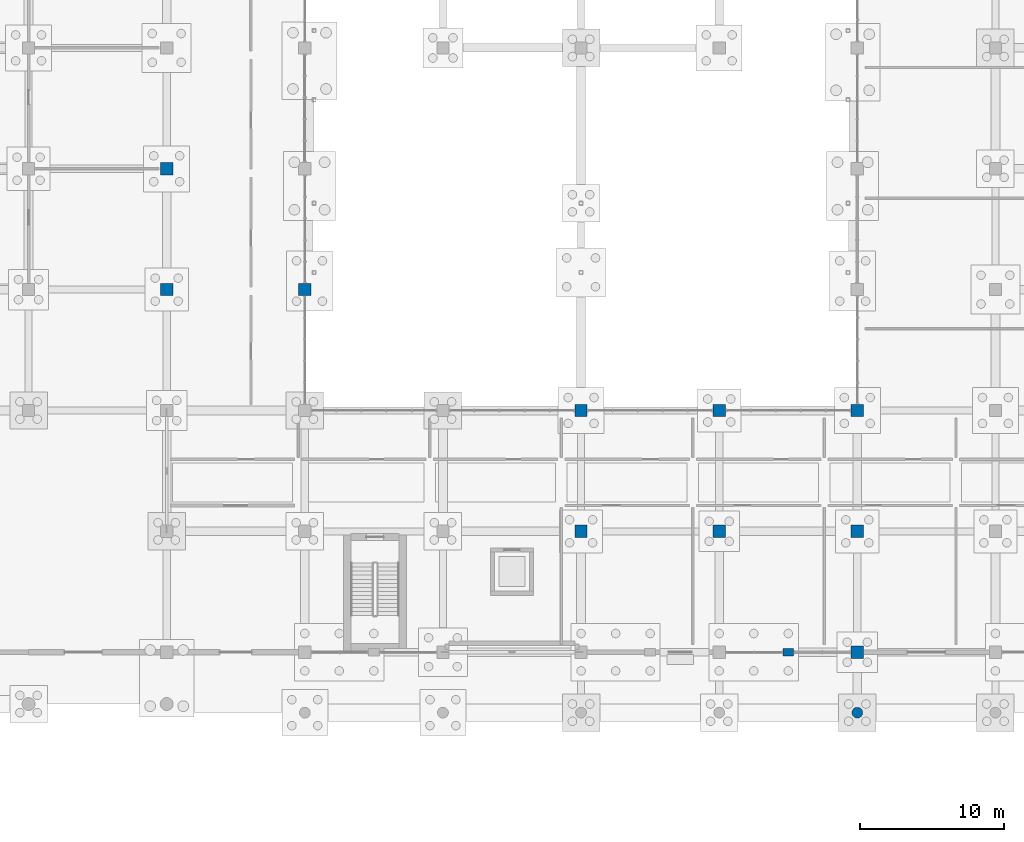
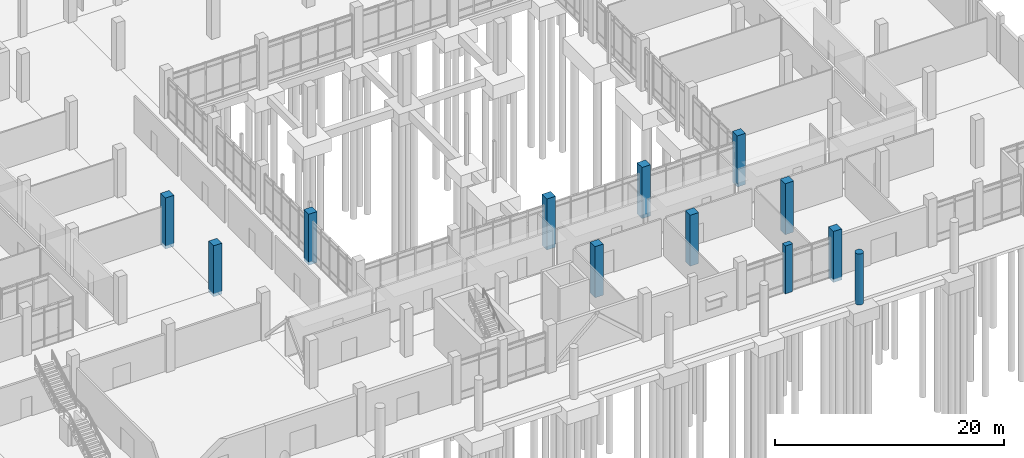
# One storey, part 22 of 136: 12 columns.
"""IFC4 building model written with IfcOpenShell, lengths in metres."""

from ifc_helpers import new_model, si_unit, direction, frame, origin, origin_2d, place, context, subcontext, project, spatial, rectangle, circle, extrude, material, material_profile, profile_set, type_object, element, save


model = new_model("IFC4")

# Units and contexts
model_context = context("Model", 3, precision=1e-05, world=origin(), true_north=direction((0.0, 1.0)))
body_context = subcontext(model_context, "Body", "Model", "MODEL_VIEW")
ifc_project = project(units=[si_unit("LENGTHUNIT", "METRE"), si_unit("AREAUNIT", "SQUARE_METRE"), si_unit("VOLUMEUNIT", "CUBIC_METRE"), si_unit("PLANEANGLEUNIT", "RADIAN"), si_unit("MASSUNIT", "GRAM", prefix="KILO")], contexts=[model_context])

# Site, building, storey
site_placement = place(None, origin())
site = spatial("IfcSite", under=ifc_project, at=site_placement, CompositionType="ELEMENT")
building_placement = place(site_placement, origin())
building = spatial("IfcBuilding", under=site, at=building_placement, Name="Oolite Switchyard Hospital", CompositionType="ELEMENT")
storey_placement = place(building_placement, origin())
storey = spatial("IfcBuildingStorey", under=building, at=storey_placement, Name="L00", CompositionType="ELEMENT", Elevation=0.0)

# Columns
ifc_material_1 = material(Name="Precast concrete C40/50", Category="concrete")
ifc_material_profile_1 = material_profile(ifc_material_1, circle(Radius=0.375, at=origin_2d()), Name="RCCOL750")
ifc_profile_set_1 = profile_set([ifc_material_profile_1], Name="Precast concrete C40/50")
column_type_1 = type_object("IfcColumnType", Name="COL-PORT750", PredefinedType="COLUMN", material=ifc_profile_set_1)
column_1_placement = place(storey_placement, frame((182.39990234375, 4.199951171875, -0.35009765625), z_axis=(0.0, 0.0, 1.0), x_axis=(1.0, 0.0, 0.0)))
element("IfcColumn", 1, at=column_1_placement, inside=storey, type_object=column_type_1, Name="L00 Column 274", PredefinedType="COLUMN", context=body_context, shape_type="SweptSolid", body=[
    extrude(circle(Radius=0.375, at=origin_2d()), origin(), (0.0, 0.0, 1.0), 5.4501953125),
])
ifc_material_2 = material(Name="Concrete C50/60", Category="concrete")
ifc_material_profile_2 = material_profile(ifc_material_2, rectangle(XDim=0.85009765625, YDim=0.85009765625, at=origin_2d()), Name="RC850X850")
ifc_profile_set_2 = profile_set([ifc_material_profile_2], Name="Concrete C50/60")
column_type_2 = type_object("IfcColumnType", Name="COL-RC850", PredefinedType="COLUMN", material=ifc_profile_set_2)
for number, where, z_axis, x_axis, name in (
    (2, (134.39990234375, 33.60009765625, -0.35009765625), (0.0, 0.0, 1.0), (1.0, 0.0, 0.0), "L00 Column 189"),
    (3, (134.39990234375, 42.0, -0.35009765625), (0.0, 0.0, 1.0), (1.0, 0.0, 0.0), "L00 Column 190"),
    (4, (144.0, 33.60009765625, -0.35009765625), (0.0, 0.0, 1.0), (1.0, 0.0, 0.0), "L00 Column 206"),
    (5, (163.199951171875, 16.800048828125, -0.35009765625), (0.0, 0.0, 1.0), (1.0, 0.0, 0.0), "L00 Column 240"),
    (6, (163.199951171875, 25.199951171875, -0.35009765625), (0.0, 0.0, 1.0), (1.0, 0.0, 0.0), "L00 Column 241"),
    (7, (172.800048828125, 16.800048828125, -0.35009765625), (0.0, 0.0, 1.0), (1.0, 0.0, 0.0), "L00 Column 257"),
    (8, (172.800048828125, 25.199951171875, -0.35009765625), (0.0, 0.0, 1.0), (1.0, 0.0, 0.0), "L00 Column 258"),
    (9, (182.39990234375, 8.39990234375, -0.35009765625), (0.0, 0.0, 1.0), (1.0, 0.0, 0.0), "L00 Column 275"),
    (10, (182.39990234375, 16.800048828125, -0.35009765625), (0.0, 0.0, 1.0), (1.0, 0.0, 0.0), "L00 Column 276"),
    (11, (182.39990234375, 25.199951171875, -0.35009765625), (0.0, 0.0, 1.0), (1.0, 0.0, 0.0), "L00 Column 277"),
):
    element("IfcColumn", number, at=place(storey_placement, frame(where, z_axis=z_axis, x_axis=x_axis)), inside=storey, type_object=column_type_2, Name=name, PredefinedType="COLUMN", context=body_context, shape_type="SweptSolid", body=[
        extrude(rectangle(XDim=0.85009765625, YDim=0.85009765625, at=origin_2d()), origin(), (0.0, 0.0, 1.0), 5.4501953125),
    ])
ifc_material_profile_3 = material_profile(ifc_material_1, rectangle(XDim=0.75, YDim=0.5, at=origin_2d()), Name="PIL750X500")
ifc_profile_set_3 = profile_set([ifc_material_profile_3], Name="Precast concrete C40/50")
column_type_3 = type_object("IfcColumnType", Name="PIL-750X500", PredefinedType="PILASTER", material=ifc_profile_set_3)
column_2_placement = place(storey_placement, frame((177.60009765625, 8.39990234375, 0.0), z_axis=(0.0, 0.0, 1.0), x_axis=(1.0, 0.0, 0.0)))
element("IfcColumn", 12, at=column_2_placement, inside=storey, type_object=column_type_3, Name="L00 Classical Pilaster 3", PredefinedType="PILASTER", context=body_context, shape_type="SweptSolid", body=[
    extrude(rectangle(XDim=0.75, YDim=0.5, at=origin_2d()), origin(), (0.0, 0.0, 1.0), 5.10009765625),
])

save(model, "model.ifc")
